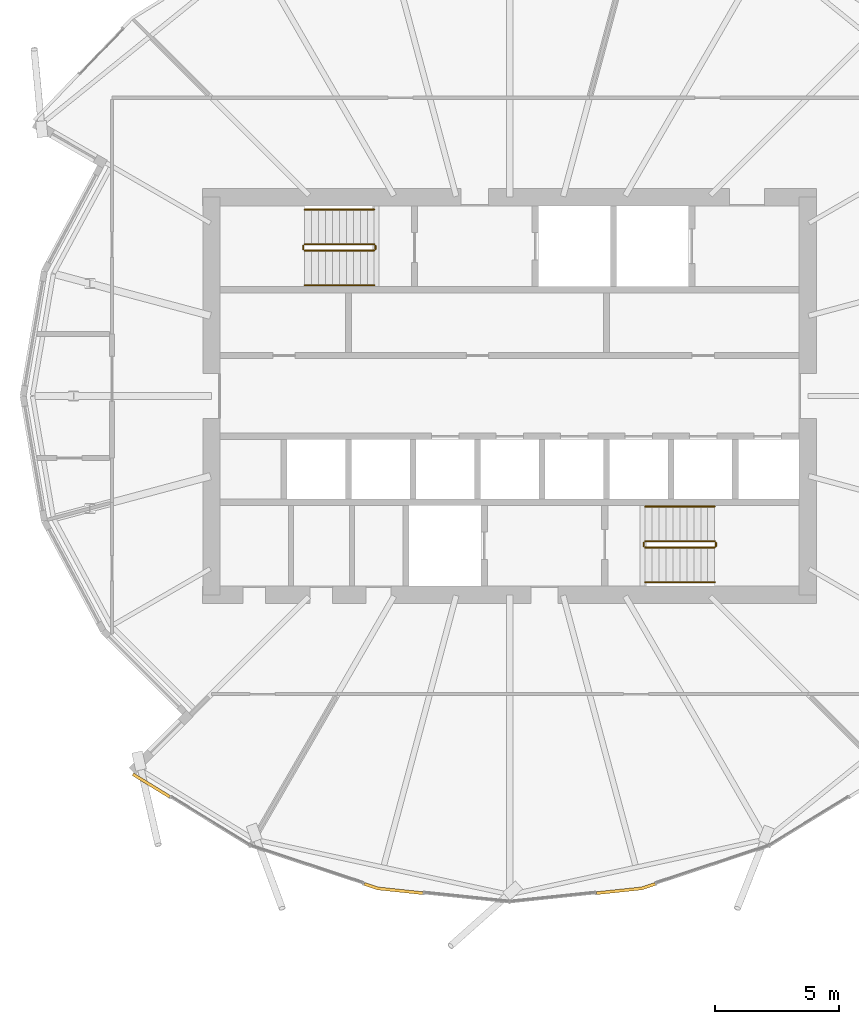
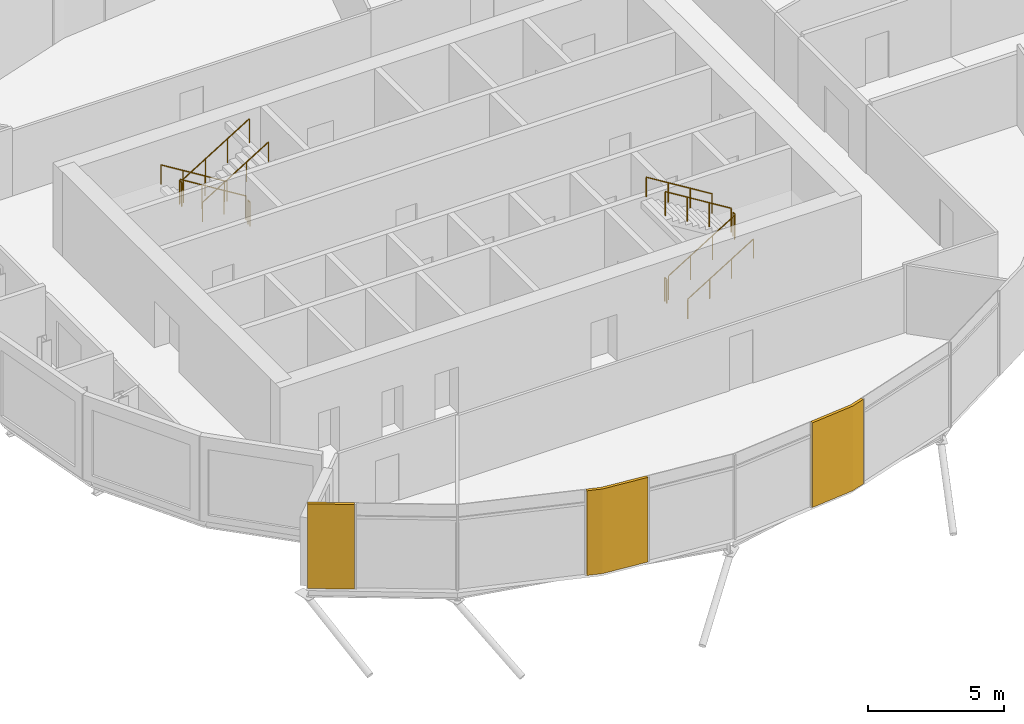
# One storey, part 36 of 39: 12 railings, 3 coverings.
"""IFC4 building model written with IfcOpenShell, lengths in metres."""

from ifc_helpers import new_model, si_unit, direction, frame, origin, origin_2d, place, context, subcontext, project, spatial, polyline, circle, outline, extrude, material, layer, layer_set, type_object, element, save


model = new_model("IFC4")

# Units and contexts
model_context = context("Model", 3, precision=1e-05, world=origin(), true_north=direction((0.0, 1.0)))
body_context = subcontext(model_context, "Body", "Model", "MODEL_VIEW")
ifc_project = project(units=[si_unit("LENGTHUNIT", "METRE"), si_unit("AREAUNIT", "SQUARE_METRE"), si_unit("VOLUMEUNIT", "CUBIC_METRE"), si_unit("PLANEANGLEUNIT", "RADIAN"), si_unit("MASSUNIT", "GRAM", prefix="KILO")], contexts=[model_context])

# Site, building, storey
site_placement = place(None, origin())
site = spatial("IfcSite", under=ifc_project, at=site_placement, CompositionType="ELEMENT")
building_placement = place(site_placement, origin())
building = spatial("IfcBuilding", under=site, at=building_placement, Name="Rimbun Link Towers", CompositionType="ELEMENT")
storey_placement = place(building_placement, frame((0.0, 0.0, 139.199951171875)))
storey = spatial("IfcBuildingStorey", under=building, at=storey_placement, Name="L33", CompositionType="ELEMENT", Elevation=139.199951171875)

# Coverings
ifc_material_1 = material(Name="Terracotta", Category="masonry")
ifc_layer = layer(ifc_material_1, 0.1201171875)
ifc_layer_set = layer_set([ifc_layer], Name="LINK PIER terracotta cladding 120")
covering_type = type_object("IfcCoveringType", Name="LINK PIER terracotta cladding 120", PredefinedType="CLADDING", material=ifc_layer_set)
covering_1_placement = place(storey_placement, origin())
element("IfcCovering", 1, at=covering_1_placement, inside=storey, type_object=covering_type, Name="LINK PIER cladding", PredefinedType="CLADDING", context=body_context, shape_type="SweptSolid", body=[
    extrude(outline(polyline([(-45.395751953125, -16.080322265625), (-46.878662109375, -15.169921875), (-46.94140625, -15.272216796875), (-45.45849609375, -16.1826171875), (-45.395751953125, -16.080322265625)])), origin(), (0.0, 0.0, 1.0), 3.800048828125),
])
covering_2_placement = place(storey_placement, origin())
element("IfcCovering", 2, at=covering_2_placement, inside=storey, type_object=covering_type, Name="LINK PIER cladding", PredefinedType="CLADDING", context=body_context, shape_type="SweptSolid", body=[
    extrude(outline(polyline([(-35.234130859375, -19.94873046875), (-37.044189453125, -19.758056640625), (-37.585205078125, -19.57861328125), (-37.622802734375, -19.692626953125), (-37.069580078125, -19.8759765625), (-35.24658203125, -20.06787109375), (-35.234130859375, -19.94873046875)])), origin(), (0.0, 0.0, 1.0), 3.800048828125),
])
covering_3_placement = place(storey_placement, origin())
element("IfcCovering", 3, at=covering_3_placement, inside=storey, type_object=covering_type, Name="LINK PIER cladding", PredefinedType="CLADDING", context=body_context, shape_type="SweptSolid", body=[
    extrude(outline(polyline([(-25.914794921875, -19.57861328125), (-26.455810546875, -19.758056640625), (-28.265869140625, -19.94873046875), (-28.25341796875, -20.06787109375), (-26.430419921875, -19.8759765625), (-25.877197265625, -19.692626953125), (-25.914794921875, -19.57861328125)])), origin(), (0.0, 0.0, 1.0), 3.800048828125),
])

# Railings
ifc_material_2 = material(Name="Stainless steel grade 316", Category="steel")
railing_type_1 = type_object("IfcRailingType", Name="Stair guard", PredefinedType="GUARDRAIL", material=ifc_material_2)
railing_1_placement = place(storey_placement, frame((-37.199951171875, 6.10009765625, 0.1728515625)))
element("IfcRailing", 4, at=railing_1_placement, inside=storey, type_object=railing_type_1, Name="L33 ST1 stair guard 1", PredefinedType="GUARDRAIL", context=body_context, shape_type="SweptSolid", body=[
    extrude(circle(Radius=0.02392578125, at=origin_2d()), frame((0.0, 0.0, 1.076171875), z_axis=(-0.851089632645, 0.0, 0.525020415988), x_axis=(0.0, -1.0, 0.0)), (0.0, 0.0, 1.0), 3.2900390625),
    extrude(circle(Radius=0.02099609375, at=origin_2d()), origin(), (0.0, 0.0, 1.0), 1.052001953125),
    extrude(circle(Radius=0.02099609375, at=origin_2d()), frame((-0.933349609375, 0.0, 0.57568359375)), (0.0, 0.0, 1.0), 1.052001953125),
    extrude(circle(Radius=0.02099609375, at=origin_2d()), frame((-1.86669921875, 0.0, 1.151611328125)), (0.0, 0.0, 1.0), 1.052001953125),
    extrude(circle(Radius=0.02099609375, at=origin_2d()), frame((-2.800048828125, 0.0, 1.727294921875)), (0.0, 0.0, 1.0), 1.052001953125),
])
railing_2_placement = place(storey_placement, frame((-40.050048828125, 6.050048828125, 1.900146484375)))
element("IfcRailing", 5, at=railing_2_placement, inside=storey, type_object=railing_type_1, Name="L33 ST1 stair guard 2", PredefinedType="GUARDRAIL", context=body_context, shape_type="SweptSolid", body=[
    extrude(circle(Radius=0.02392578125, at=origin_2d()), frame((0.0, 0.0, 1.076171875), z_axis=(0.0, -1.0, 0.0), x_axis=(1.0, 0.0, 0.0)), (0.0, 0.0, 1.0), 0.150146484375),
    extrude(circle(Radius=0.02099609375, at=origin_2d()), origin(), (0.0, 0.0, 1.0), 1.052001953125),
    extrude(circle(Radius=0.02099609375, at=origin_2d()), frame((0.0, -0.150146484375, 0.0)), (0.0, 0.0, 1.0), 1.052001953125),
])
railing_3_placement = place(storey_placement, frame((-40.0, 5.85009765625, 2.07275390625)))
element("IfcRailing", 6, at=railing_3_placement, inside=storey, type_object=railing_type_1, Name="L33 ST1 stair guard 3", PredefinedType="GUARDRAIL", context=body_context, shape_type="SweptSolid", body=[
    extrude(circle(Radius=0.02392578125, at=origin_2d()), frame((0.0, 0.0, 1.076171875), z_axis=(0.851089632645, 0.0, 0.525020415988), x_axis=(0.0, 1.0, 0.0)), (0.0, 0.0, 1.0), 3.2900390625),
    extrude(circle(Radius=0.02099609375, at=origin_2d()), origin(), (0.0, 0.0, 1.0), 1.052001953125),
    extrude(circle(Radius=0.02099609375, at=origin_2d()), frame((0.933349609375, 0.0, 0.57568359375)), (0.0, 0.0, 1.0), 1.052001953125),
    extrude(circle(Radius=0.02099609375, at=origin_2d()), frame((1.86669921875, 0.0, 1.151611328125)), (0.0, 0.0, 1.0), 1.052001953125),
    extrude(circle(Radius=0.02099609375, at=origin_2d()), frame((2.800048828125, 0.0, 1.727294921875)), (0.0, 0.0, 1.0), 1.052001953125),
])
railing_4_placement = place(storey_placement, frame((-37.14990234375, 6.050048828125, 0.0)))
element("IfcRailing", 7, at=railing_4_placement, inside=storey, type_object=railing_type_1, Name="L33 ST1 stair guard 4", PredefinedType="GUARDRAIL", context=body_context, shape_type="SweptSolid", body=[
    extrude(circle(Radius=0.02392578125, at=origin_2d()), frame((0.0, 0.0, 1.076171875), z_axis=(0.0, -1.0, 0.0), x_axis=(1.0, 0.0, 0.0)), (0.0, 0.0, 1.0), 0.150146484375),
    extrude(circle(Radius=0.02099609375, at=origin_2d()), origin(), (0.0, 0.0, 1.0), 1.052001953125),
    extrude(circle(Radius=0.02099609375, at=origin_2d()), frame((0.0, -0.150146484375, 0.0)), (0.0, 0.0, 1.0), 1.052001953125),
])
railing_5_placement = place(storey_placement, frame((-26.300048828125, -6.10009765625, 0.1728515625)))
element("IfcRailing", 8, at=railing_5_placement, inside=storey, type_object=railing_type_1, Name="L33 ST2 stair guard 1", PredefinedType="GUARDRAIL", context=body_context, shape_type="SweptSolid", body=[
    extrude(circle(Radius=0.02392578125, at=origin_2d()), frame((0.0, 0.0, 1.076171875), z_axis=(0.851089632645, 0.0, 0.525020415988), x_axis=(0.0, 1.0, 0.0)), (0.0, 0.0, 1.0), 3.2900390625),
    extrude(circle(Radius=0.02099609375, at=origin_2d()), origin(), (0.0, 0.0, 1.0), 1.052001953125),
    extrude(circle(Radius=0.02099609375, at=origin_2d()), frame((0.933349609375, 0.0, 0.57568359375)), (0.0, 0.0, 1.0), 1.052001953125),
    extrude(circle(Radius=0.02099609375, at=origin_2d()), frame((1.86669921875, 0.0, 1.151611328125)), (0.0, 0.0, 1.0), 1.052001953125),
    extrude(circle(Radius=0.02099609375, at=origin_2d()), frame((2.800048828125, 0.0, 1.727294921875)), (0.0, 0.0, 1.0), 1.052001953125),
])
railing_6_placement = place(storey_placement, frame((-23.449951171875, -6.050048828125, 1.900146484375)))
element("IfcRailing", 9, at=railing_6_placement, inside=storey, type_object=railing_type_1, Name="L33 ST2 stair guard 2", PredefinedType="GUARDRAIL", context=body_context, shape_type="SweptSolid", body=[
    extrude(circle(Radius=0.02392578125, at=origin_2d()), frame((0.0, 0.0, 1.076171875), z_axis=(0.0, 1.0, 0.0), x_axis=(-1.0, 0.0, 0.0)), (0.0, 0.0, 1.0), 0.150146484375),
    extrude(circle(Radius=0.02099609375, at=origin_2d()), origin(), (0.0, 0.0, 1.0), 1.052001953125),
    extrude(circle(Radius=0.02099609375, at=origin_2d()), frame((0.0, 0.150146484375, 0.0)), (0.0, 0.0, 1.0), 1.052001953125),
])
railing_7_placement = place(storey_placement, frame((-23.5, -5.85009765625, 2.07275390625)))
element("IfcRailing", 10, at=railing_7_placement, inside=storey, type_object=railing_type_1, Name="L33 ST2 stair guard 3", PredefinedType="GUARDRAIL", context=body_context, shape_type="SweptSolid", body=[
    extrude(circle(Radius=0.02392578125, at=origin_2d()), frame((0.0, 0.0, 1.076171875), z_axis=(-0.851089632645, 0.0, 0.525020415988), x_axis=(0.0, -1.0, 0.0)), (0.0, 0.0, 1.0), 3.2900390625),
    extrude(circle(Radius=0.02099609375, at=origin_2d()), origin(), (0.0, 0.0, 1.0), 1.052001953125),
    extrude(circle(Radius=0.02099609375, at=origin_2d()), frame((-0.933349609375, 0.0, 0.57568359375)), (0.0, 0.0, 1.0), 1.052001953125),
    extrude(circle(Radius=0.02099609375, at=origin_2d()), frame((-1.86669921875, 0.0, 1.151611328125)), (0.0, 0.0, 1.0), 1.052001953125),
    extrude(circle(Radius=0.02099609375, at=origin_2d()), frame((-2.800048828125, 0.0, 1.727294921875)), (0.0, 0.0, 1.0), 1.052001953125),
])
railing_8_placement = place(storey_placement, frame((-26.35009765625, -6.050048828125, 0.0)))
element("IfcRailing", 11, at=railing_8_placement, inside=storey, type_object=railing_type_1, Name="L33 ST2 stair guard 4", PredefinedType="GUARDRAIL", context=body_context, shape_type="SweptSolid", body=[
    extrude(circle(Radius=0.02392578125, at=origin_2d()), frame((0.0, 0.0, 1.076171875), z_axis=(0.0, 1.0, 0.0), x_axis=(-1.0, 0.0, 0.0)), (0.0, 0.0, 1.0), 0.150146484375),
    extrude(circle(Radius=0.02099609375, at=origin_2d()), origin(), (0.0, 0.0, 1.0), 1.052001953125),
    extrude(circle(Radius=0.02099609375, at=origin_2d()), frame((0.0, 0.150146484375, 0.0)), (0.0, 0.0, 1.0), 1.052001953125),
])
ifc_material_3 = material(Name="Stainless steel grade 316", Category="steel")
railing_type_2 = type_object("IfcRailingType", Name="Stair handrail", PredefinedType="HANDRAIL", material=ifc_material_3)
railing_9_placement = place(storey_placement, frame((-37.199951171875, 7.5, 0.1728515625)))
element("IfcRailing", 12, at=railing_9_placement, inside=storey, type_object=railing_type_2, Name="L33 ST1 stair handrail 1", PredefinedType="HANDRAIL", context=body_context, shape_type="SweptSolid", body=[
    extrude(circle(Radius=0.02392578125, at=origin_2d()), frame((0.0, 0.0, 0.8759765625), z_axis=(-0.851089632645, 0.0, 0.525020415988), x_axis=(0.0, -1.0, 0.0)), (0.0, 0.0, 1.0), 3.2900390625),
    extrude(circle(Radius=0.02099609375, at=origin_2d()), origin(), (0.0, 0.0, 1.0), 0.851806640625),
    extrude(circle(Radius=0.02099609375, at=origin_2d()), frame((-0.933349609375, 0.0, 0.57568359375)), (0.0, 0.0, 1.0), 0.851806640625),
    extrude(circle(Radius=0.02099609375, at=origin_2d()), frame((-1.86669921875, 0.0, 1.151611328125)), (0.0, 0.0, 1.0), 0.851806640625),
    extrude(circle(Radius=0.02099609375, at=origin_2d()), frame((-2.800048828125, 0.0, 1.727294921875)), (0.0, 0.0, 1.0), 0.851806640625),
])
for number, where, name in (
    (13, (-40.0, 4.449951171875, 2.07275390625), "L33 ST1 stair handrail 2"),
    (14, (-26.300048828125, -7.5, 0.1728515625), "L33 ST2 stair handrail 1"),
):
    element("IfcRailing", number, at=place(storey_placement, frame(where)), inside=storey, type_object=railing_type_2, Name=name, PredefinedType="HANDRAIL", context=body_context, shape_type="SweptSolid", body=[
        extrude(circle(Radius=0.02392578125, at=origin_2d()), frame((0.0, 0.0, 0.8759765625), z_axis=(0.851089632645, 0.0, 0.525020415988), x_axis=(0.0, 1.0, 0.0)), (0.0, 0.0, 1.0), 3.2900390625),
        extrude(circle(Radius=0.02099609375, at=origin_2d()), origin(), (0.0, 0.0, 1.0), 0.851806640625),
        extrude(circle(Radius=0.02099609375, at=origin_2d()), frame((0.933349609375, 0.0, 0.57568359375)), (0.0, 0.0, 1.0), 0.851806640625),
        extrude(circle(Radius=0.02099609375, at=origin_2d()), frame((1.86669921875, 0.0, 1.151611328125)), (0.0, 0.0, 1.0), 0.851806640625),
        extrude(circle(Radius=0.02099609375, at=origin_2d()), frame((2.800048828125, 0.0, 1.727294921875)), (0.0, 0.0, 1.0), 0.851806640625),
    ])
railing_10_placement = place(storey_placement, frame((-23.5, -4.449951171875, 2.07275390625)))
element("IfcRailing", 15, at=railing_10_placement, inside=storey, type_object=railing_type_2, Name="L33 ST2 stair handrail 2", PredefinedType="HANDRAIL", context=body_context, shape_type="SweptSolid", body=[
    extrude(circle(Radius=0.02392578125, at=origin_2d()), frame((0.0, 0.0, 0.8759765625), z_axis=(-0.851089632645, 0.0, 0.525020415988), x_axis=(0.0, -1.0, 0.0)), (0.0, 0.0, 1.0), 3.2900390625),
    extrude(circle(Radius=0.02099609375, at=origin_2d()), origin(), (0.0, 0.0, 1.0), 0.851806640625),
    extrude(circle(Radius=0.02099609375, at=origin_2d()), frame((-0.933349609375, 0.0, 0.57568359375)), (0.0, 0.0, 1.0), 0.851806640625),
    extrude(circle(Radius=0.02099609375, at=origin_2d()), frame((-1.86669921875, 0.0, 1.151611328125)), (0.0, 0.0, 1.0), 0.851806640625),
    extrude(circle(Radius=0.02099609375, at=origin_2d()), frame((-2.800048828125, 0.0, 1.727294921875)), (0.0, 0.0, 1.0), 0.851806640625),
])

save(model, "model.ifc")
